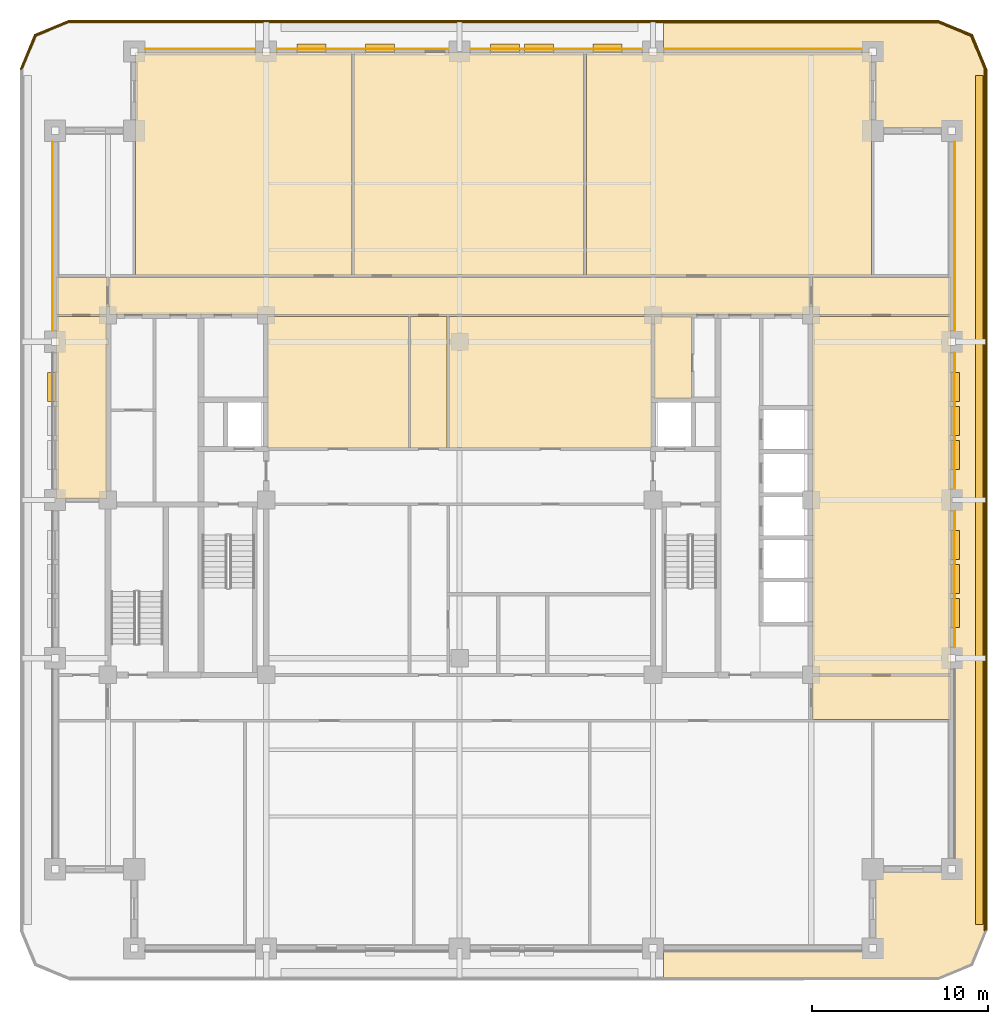
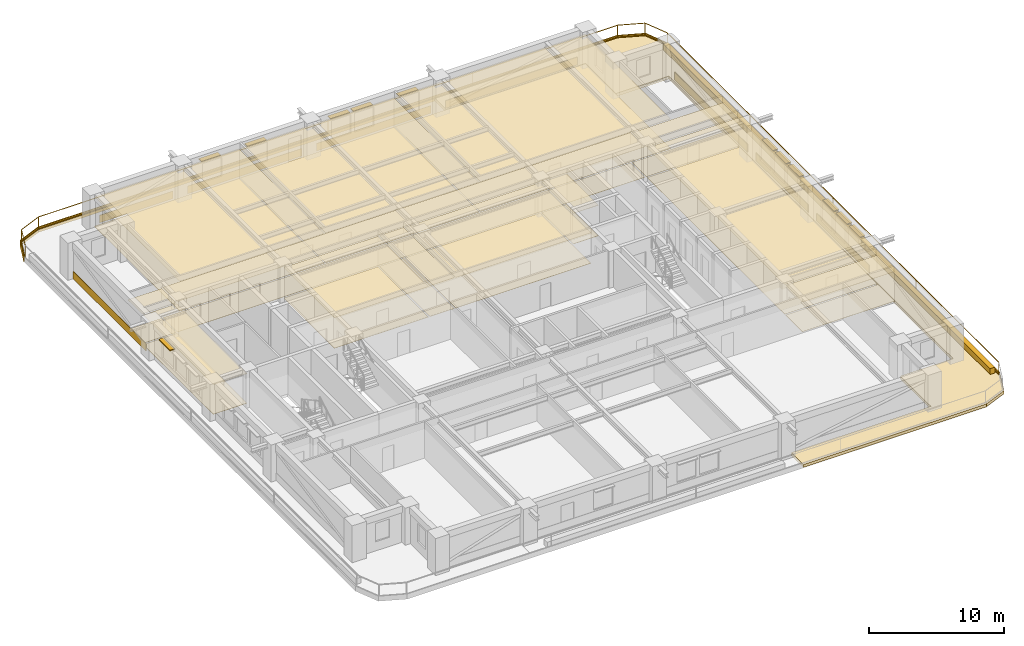
# One storey, part 14 of 14: 42 coverings, 12 shading devices, 2 railings.
"""IFC4 building model written with IfcOpenShell, lengths in metres."""

from ifc_helpers import new_model, si_unit, direction, frame, frame_2d, origin, origin_2d, place, context, subcontext, project, spatial, polyline, rectangle, outline, extrude, material, layer, layer_set, type_object, element, save


model = new_model("IFC4")

# Units and contexts
model_context = context("Model", 3, precision=1e-05, world=origin(), true_north=direction((0.0, 1.0)))
body_context = subcontext(model_context, "Body", "Model", "MODEL_VIEW")
ifc_project = project(units=[si_unit("LENGTHUNIT", "METRE"), si_unit("AREAUNIT", "SQUARE_METRE"), si_unit("VOLUMEUNIT", "CUBIC_METRE"), si_unit("PLANEANGLEUNIT", "RADIAN"), si_unit("MASSUNIT", "GRAM", prefix="KILO")], contexts=[model_context])

# Site, building, storey
site_placement = place(None, origin())
site = spatial("IfcSite", under=ifc_project, at=site_placement, CompositionType="ELEMENT")
building_placement = place(site_placement, origin())
building = spatial("IfcBuilding", under=site, at=building_placement, Name="Zulmaris Gate Convention Tower", CompositionType="ELEMENT")
storey_placement = place(building_placement, frame((0.0, 0.0, 98.5)))
storey = spatial("IfcBuildingStorey", under=building, at=storey_placement, Name="L24", CompositionType="ELEMENT", Elevation=98.5)

# Coverings
ifc_material_1 = material(Name="Precast concrete C40/50", Category="concrete")
ifc_layer_1 = layer(ifc_material_1, 0.0400390625, Name="Precast concrete C40/50")
ifc_layer_set_1 = layer_set([ifc_layer_1], Name="Precast concrete C40/50")
covering_type_1 = type_object("IfcCoveringType", Name="CLAD-SPANDREL-PRECAST", PredefinedType="CLADDING", material=ifc_layer_set_1)
covering_1_placement = place(storey_placement, frame((-11.6298828125, 25.64990234375, 0.0), z_axis=(0.0, 0.0, 1.0), x_axis=(-1.0, 0.0, 0.0)))
element("IfcCovering", 1, at=covering_1_placement, inside=storey, type_object=covering_type_1, Name="CLD-L24-N-0_0", PredefinedType="CLADDING", context=body_context, shape_type="SweptSolid", body=[
    extrude(rectangle(XDim=6.240234375, YDim=0.0400390625, at=frame_2d((3.1201171875, 0.0))), origin(), (0.0, 0.0, 1.0), 0.679931640625),
])
for number, where, z_axis, x_axis, name in (
    (2, (-0.6298828125, 25.64990234375, 0.0), (0.0, 0.0, 1.0), (-1.0, 0.0, 0.0), "CLD-L24-N-1_0"),
    (3, (10.3701171875, 25.64990234375, 0.0), (0.0, 0.0, 1.0), (-1.0, 0.0, 0.0), "CLD-L24-N-2_0"),
):
    element("IfcCovering", number, at=place(storey_placement, frame(where, z_axis=z_axis, x_axis=x_axis)), inside=storey, type_object=covering_type_1, Name=name, PredefinedType="CLADDING", context=body_context, shape_type="SweptSolid", body=[
        extrude(rectangle(XDim=9.740234375, YDim=0.0400390625, at=frame_2d((4.8701171875, 0.0))), origin(), (0.0, 0.0, 1.0), 0.679931640625),
    ])
covering_2_placement = place(storey_placement, frame((22.8701171875, 25.64990234375, 0.0), z_axis=(0.0, 0.0, 1.0), x_axis=(-1.0, 0.0, 0.0)))
element("IfcCovering", 4, at=covering_2_placement, inside=storey, type_object=covering_type_1, Name="CLD-L24-N-3_0", PredefinedType="CLADDING", context=body_context, shape_type="SweptSolid", body=[
    extrude(rectangle(XDim=11.240234375, YDim=0.0400390625, at=frame_2d((5.6201171875, 0.0))), origin(), (0.0, 0.0, 1.0), 0.679931640625),
])
for number, where, z_axis, x_axis, name in (
    (5, (28.14990234375, -8.3701171875, 0.0), (0.0, 0.0, 1.0), (0.0, 1.0, 0.0), "CLD-L24-E-1_0"),
    (6, (28.14990234375, 0.6298828125, 0.0), (0.0, 0.0, 1.0), (0.0, 1.0, 0.0), "CLD-L24-E-2_0"),
):
    element("IfcCovering", number, at=place(storey_placement, frame(where, z_axis=z_axis, x_axis=x_axis)), inside=storey, type_object=covering_type_1, Name=name, PredefinedType="CLADDING", context=body_context, shape_type="SweptSolid", body=[
        extrude(rectangle(XDim=7.740234375, YDim=0.0400390625, at=frame_2d((3.8701171875, 0.0))), origin(), (0.0, 0.0, 1.0), 0.679931640625),
    ])
for number, where, z_axis, x_axis, name in (
    (7, (28.14990234375, 9.6298828125, 0.0), (0.0, 0.0, 1.0), (0.0, 1.0, 0.0), "CLD-L24-E-3_0"),
    (8, (-23.14990234375, 20.3701171875, 0.0), (0.0, 0.0, 1.0), (0.0, -1.0, 0.0), "CLD-L24-W-3_0"),
):
    element("IfcCovering", number, at=place(storey_placement, frame(where, z_axis=z_axis, x_axis=x_axis)), inside=storey, type_object=covering_type_1, Name=name, PredefinedType="CLADDING", context=body_context, shape_type="SweptSolid", body=[
        extrude(rectangle(XDim=10.740234375, YDim=0.0400390625, at=frame_2d((5.3701171875, 0.0))), origin(), (0.0, 0.0, 1.0), 0.679931640625),
    ])
ifc_material_2 = material(Name="White Glazed Architectural Precast Concrete C40/50", Category="concrete")
ifc_layer_2 = layer(ifc_material_2, 0.239990234375, Name="White Glazed Architectural Precast Concrete C40/50")
ifc_layer_set_2 = layer_set([ifc_layer_2], Name="White Glazed Architectural Precast Concrete C40/50")
covering_type_2 = type_object("IfcCoveringType", Name="CLAD-TRAY-DECK", PredefinedType="CLADDING", material=ifc_layer_set_2)
covering_3_placement = place(storey_placement, frame((0.0, 0.0, -0.27490234375)))
element("IfcCovering", 9, at=covering_3_placement, inside=storey, type_object=covering_type_2, Name="L24 East Rounded-Fascia Planter Tray Deck", PredefinedType="CLADDING", context=body_context, shape_type="SweptSolid", body=[
    extrude(outline(polyline([(27.199951171875, 27.300048828125), (29.179931640625, 26.47998046875), (30.0, 24.5), (30.0, -24.5), (29.179931640625, -26.47998046875), (27.199951171875, -27.300048828125), (11.60205078125, -27.300048828125), (11.60205078125, -25.5), (23.5, -25.5), (23.5, -21.0), (28.0, -21.0), (28.0, 21.0), (23.5, 21.0), (23.5, 25.5), (11.60205078125, 25.5), (11.60205078125, 27.300048828125), (27.199951171875, 27.300048828125)])), origin(), (0.0, 0.0, 1.0), 0.260009765625),
])
ifc_layer_3 = layer(ifc_material_2, 0.080078125, Name="White Glazed Architectural Precast Concrete C40/50")
ifc_layer_set_3 = layer_set([ifc_layer_3], Name="White Glazed Architectural Precast Concrete C40/50")
covering_type_3 = type_object("IfcCoveringType", Name="CLAD-TRAY-FASCIA", PredefinedType="CLADDING", material=ifc_layer_set_3)
covering_4_placement = place(storey_placement, frame((29.9599609375, -24.5, -0.31494140625), z_axis=(0.0, 0.0, 1.0), x_axis=(0.0, 1.0, 0.0)))
element("IfcCovering", 10, at=covering_4_placement, inside=storey, type_object=covering_type_3, Name="FSC-L24-TR-05", PredefinedType="CLADDING", context=body_context, shape_type="SweptSolid", body=[
    extrude(rectangle(XDim=49.0, YDim=0.080078125, at=frame_2d((24.5, 0.0))), origin(), (0.0, 0.0, 1.0), 0.4599609375),
])
covering_5_placement = place(storey_placement, frame((29.962890625, 24.484619140625, -0.31494140625), z_axis=(0.0, 0.0, 1.0), x_axis=(-0.382656984709, 0.923890487046, 0.0)))
element("IfcCovering", 11, at=covering_5_placement, inside=storey, type_object=covering_type_3, Name="FSC-L24-TR-06", PredefinedType="CLADDING", context=body_context, shape_type="SweptSolid", body=[
    extrude(rectangle(XDim=2.14306640625, YDim=0.080078125, at=frame_2d((1.071533203125, 0.0))), origin(), (0.0, 0.0, 1.0), 0.4599609375),
])
covering_6_placement = place(storey_placement, frame((29.16455078125, 26.44287109375, -0.31494140625), z_axis=(0.0, 0.0, 1.0), x_axis=(-0.923873803533, 0.382697263049, 0.0)))
element("IfcCovering", 12, at=covering_6_placement, inside=storey, type_object=covering_type_3, Name="FSC-L24-TR-07", PredefinedType="CLADDING", context=body_context, shape_type="SweptSolid", body=[
    extrude(rectangle(XDim=2.142822265625, YDim=0.080078125, at=frame_2d((1.0712890625, 0.0))), origin(), (0.0, 0.0, 1.0), 0.4599609375),
])
covering_7_placement = place(storey_placement, frame((27.199951171875, 27.260009765625, -0.31494140625), z_axis=(0.0, 0.0, 1.0), x_axis=(-1.0, 0.0, 0.0)))
element("IfcCovering", 13, at=covering_7_placement, inside=storey, type_object=covering_type_3, Name="FSC-L24-TR-08", PredefinedType="CLADDING", context=body_context, shape_type="SweptSolid", body=[
    extrude(rectangle(XDim=49.39990234375, YDim=0.080078125, at=frame_2d((24.699951171875, 0.0))), origin(), (0.0, 0.0, 1.0), 0.4599609375),
])
covering_8_placement = place(storey_placement, frame((-22.184814453125, 27.262939453125, -0.31494140625), z_axis=(0.0, 0.0, 1.0), x_axis=(-0.923873803533, -0.382697263049, 0.0)))
element("IfcCovering", 14, at=covering_8_placement, inside=storey, type_object=covering_type_3, Name="FSC-L24-TR-09", PredefinedType="CLADDING", context=body_context, shape_type="SweptSolid", body=[
    extrude(rectangle(XDim=2.142822265625, YDim=0.080078125, at=frame_2d((1.0712890625, 0.0))), origin(), (0.0, 0.0, 1.0), 0.4599609375),
])
covering_9_placement = place(storey_placement, frame((-24.142822265625, 26.464599609375, -0.31494140625), z_axis=(0.0, 0.0, 1.0), x_axis=(-0.382656984709, -0.923890487046, 0.0)))
element("IfcCovering", 15, at=covering_9_placement, inside=storey, type_object=covering_type_3, Name="FSC-L24-TR-10", PredefinedType="CLADDING", context=body_context, shape_type="SweptSolid", body=[
    extrude(rectangle(XDim=2.14306640625, YDim=0.080078125, at=frame_2d((1.071533203125, 0.0))), origin(), (0.0, 0.0, 1.0), 0.4599609375),
])
ifc_material_3 = material(Name="Mineral Fibre Acoustic Ceiling Tile")
ifc_layer_4 = layer(ifc_material_3, 0.02001953125, Name="Mineral Fibre Acoustic Ceiling Tile")
ifc_layer_set_4 = layer_set([ifc_layer_4], Name="Mineral Fibre Acoustic Ceiling Tile")
covering_type_4 = type_object("IfcCoveringType", Name="CLG-ACOUSTIC-600", PredefinedType="CEILING", material=ifc_layer_set_4)
covering_10_placement = place(storey_placement, frame((0.0, 0.0, 2.752685546875)))
element("IfcCovering", 16, at=covering_10_placement, inside=storey, type_object=covering_type_4, Name="CLG-L24-R12", PredefinedType="CEILING", context=body_context, shape_type="SweptSolid", body=[
    extrude(outline(polyline([(11.06005859375, 5.760009765625), (13.18994140625, 5.760009765625), (13.18994140625, 10.43994140625), (11.06005859375, 10.43994140625), (11.06005859375, 5.760009765625)])), origin(), (0.0, 0.0, 1.0), 0.02001953125),
])
covering_11_placement = place(storey_placement, frame((0.0, 0.0, 2.752685546875)))
element("IfcCovering", 17, at=covering_11_placement, inside=storey, type_object=covering_type_4, Name="CLG-L24-R28", PredefinedType="CEILING", context=body_context, shape_type="SweptSolid", body=[
    extrude(outline(polyline([(-19.93994140625, 10.56005859375), (19.93994140625, 10.56005859375), (19.93994140625, 12.68994140625), (-19.93994140625, 12.68994140625), (-19.93994140625, 10.56005859375)])), origin(), (0.0, 0.0, 1.0), 0.02001953125),
])
covering_12_placement = place(storey_placement, frame((0.0, 0.0, 2.77783203125)))
element("IfcCovering", 18, at=covering_12_placement, inside=storey, type_object=covering_type_4, Name="CLG-L24-R31", PredefinedType="CEILING", context=body_context, shape_type="SweptSolid", body=[
    extrude(outline(polyline([(-2.7900390625, 2.9599609375), (-0.7099609375, 2.9599609375), (-0.7099609375, 10.43994140625), (-2.7900390625, 10.43994140625), (-2.7900390625, 2.9599609375)])), origin(), (0.0, 0.0, 1.0), 0.02001953125),
])
covering_13_placement = place(storey_placement, frame((0.0, 0.0, 2.6796875)))
element("IfcCovering", 19, at=covering_13_placement, inside=storey, type_object=covering_type_4, Name="CLG-L24-R33", PredefinedType="CEILING", context=body_context, shape_type="SweptSolid", body=[
    extrude(outline(polyline([(-18.43994140625, 12.81005859375), (-6.110107421875, 12.81005859375), (-6.110107421875, 25.43994140625), (-18.43994140625, 25.43994140625), (-18.43994140625, 12.81005859375)])), origin(), (0.0, 0.0, 1.0), 0.02001953125),
])
covering_14_placement = place(storey_placement, frame((0.0, 0.0, 2.6796875)))
element("IfcCovering", 20, at=covering_14_placement, inside=storey, type_object=covering_type_4, Name="CLG-L24-R34", PredefinedType="CEILING", context=body_context, shape_type="SweptSolid", body=[
    extrude(outline(polyline([(-5.989990234375, 12.81005859375), (7.090087890625, 12.81005859375), (7.090087890625, 25.43994140625), (-5.989990234375, 25.43994140625), (-5.989990234375, 12.81005859375)])), origin(), (0.0, 0.0, 1.0), 0.02001953125),
])
covering_15_placement = place(storey_placement, frame((0.0, 0.0, 2.6796875)))
element("IfcCovering", 21, at=covering_15_placement, inside=storey, type_object=covering_type_4, Name="CLG-L24-R35", PredefinedType="CEILING", context=body_context, shape_type="SweptSolid", body=[
    extrude(outline(polyline([(7.2099609375, 12.81005859375), (23.43994140625, 12.81005859375), (23.43994140625, 25.43994140625), (7.2099609375, 25.43994140625), (7.2099609375, 12.81005859375)])), origin(), (0.0, 0.0, 1.0), 0.02001953125),
])
covering_16_placement = place(storey_placement, frame((0.0, 0.0, 2.752685546875)))
element("IfcCovering", 22, at=covering_16_placement, inside=storey, type_object=covering_type_4, Name="CLG-L24-R40", PredefinedType="CEILING", context=body_context, shape_type="SweptSolid", body=[
    extrude(outline(polyline([(-10.93994140625, 2.9599609375), (-2.909912109375, 2.9599609375), (-2.909912109375, 10.43994140625), (-10.93994140625, 10.43994140625), (-10.93994140625, 2.9599609375)])), origin(), (0.0, 0.0, 1.0), 0.02001953125),
])
covering_17_placement = place(storey_placement, frame((0.0, 0.0, 2.752685546875)))
element("IfcCovering", 23, at=covering_17_placement, inside=storey, type_object=covering_type_4, Name="CLG-L24-R41", PredefinedType="CEILING", context=body_context, shape_type="SweptSolid", body=[
    extrude(outline(polyline([(-0.590087890625, 2.9599609375), (10.93994140625, 2.9599609375), (10.93994140625, 10.43994140625), (-0.590087890625, 10.43994140625), (-0.590087890625, 2.9599609375)])), origin(), (0.0, 0.0, 1.0), 0.02001953125),
])
covering_18_placement = place(storey_placement, frame((0.0, 0.0, 2.6796875)))
element("IfcCovering", 24, at=covering_18_placement, inside=storey, type_object=covering_type_4, Name="CLG-L24-R47", PredefinedType="CEILING", context=body_context, shape_type="SweptSolid", body=[
    extrude(outline(polyline([(-22.93994140625, 10.56005859375), (-20.06005859375, 10.56005859375), (-20.06005859375, 12.68994140625), (-22.93994140625, 12.68994140625), (-22.93994140625, 10.56005859375)])), origin(), (0.0, 0.0, 1.0), 0.02001953125),
])
covering_19_placement = place(storey_placement, frame((0.0, 0.0, 2.6796875)))
element("IfcCovering", 25, at=covering_19_placement, inside=storey, type_object=covering_type_4, Name="CLG-L24-R49", PredefinedType="CEILING", context=body_context, shape_type="SweptSolid", body=[
    extrude(outline(polyline([(-22.93994140625, 0.06005859375), (-20.06005859375, 0.06005859375), (-20.06005859375, 10.43994140625), (-22.93994140625, 10.43994140625), (-22.93994140625, 0.06005859375)])), origin(), (0.0, 0.0, 1.0), 0.02001953125),
])
covering_20_placement = place(storey_placement, frame((0.0, 0.0, 2.6796875)))
element("IfcCovering", 26, at=covering_20_placement, inside=storey, type_object=covering_type_4, Name="CLG-L24-R51", PredefinedType="CEILING", context=body_context, shape_type="SweptSolid", body=[
    extrude(outline(polyline([(20.06005859375, 10.56005859375), (27.93994140625, 10.56005859375), (27.93994140625, 12.68994140625), (20.06005859375, 12.68994140625), (20.06005859375, 10.56005859375)])), origin(), (0.0, 0.0, 1.0), 0.02001953125),
])
covering_21_placement = place(storey_placement, frame((0.0, 0.0, 2.6796875)))
element("IfcCovering", 27, at=covering_21_placement, inside=storey, type_object=covering_type_4, Name="CLG-L24-R52", PredefinedType="CEILING", context=body_context, shape_type="SweptSolid", body=[
    extrude(outline(polyline([(20.06005859375, -12.489990234375), (27.93994140625, -12.489990234375), (27.93994140625, -10.010009765625), (20.06005859375, -10.010009765625), (20.06005859375, -12.489990234375)])), origin(), (0.0, 0.0, 1.0), 0.02001953125),
])
covering_22_placement = place(storey_placement, frame((0.0, 0.0, 2.6796875)))
element("IfcCovering", 28, at=covering_22_placement, inside=storey, type_object=covering_type_4, Name="CLG-L24-R53", PredefinedType="CEILING", context=body_context, shape_type="SweptSolid", body=[
    extrude(outline(polyline([(20.06005859375, -9.889892578125), (27.93994140625, -9.889892578125), (27.93994140625, 10.43994140625), (20.06005859375, 10.43994140625), (20.06005859375, -9.889892578125)])), origin(), (0.0, 0.0, 1.0), 0.02001953125),
])
ifc_material_4 = material(Name="Woven Acoustic Wool Carpet Tile")
ifc_layer_5 = layer(ifc_material_4, 0.02001953125, Name="Woven Acoustic Wool Carpet Tile")
ifc_layer_set_5 = layer_set([ifc_layer_5], Name="Woven Acoustic Wool Carpet Tile")
covering_type_5 = type_object("IfcCoveringType", Name="FLR-CARPET-12", PredefinedType="FLOORING", material=ifc_layer_set_5)
covering_23_placement = place(storey_placement, origin())
element("IfcCovering", 29, at=covering_23_placement, inside=storey, type_object=covering_type_5, Name="FLR-L24-R12", PredefinedType="FLOORING", context=body_context, shape_type="SweptSolid", body=[
    extrude(outline(polyline([(11.06005859375, 5.760009765625), (13.18994140625, 5.760009765625), (13.18994140625, 10.43994140625), (11.06005859375, 10.43994140625), (11.06005859375, 5.760009765625)])), origin(), (0.0, 0.0, 1.0), 0.02001953125),
])
covering_24_placement = place(storey_placement, origin())
element("IfcCovering", 30, at=covering_24_placement, inside=storey, type_object=covering_type_5, Name="FLR-L24-R28", PredefinedType="FLOORING", context=body_context, shape_type="SweptSolid", body=[
    extrude(outline(polyline([(-19.93994140625, 10.56005859375), (19.93994140625, 10.56005859375), (19.93994140625, 12.68994140625), (-19.93994140625, 12.68994140625), (-19.93994140625, 10.56005859375)])), origin(), (0.0, 0.0, 1.0), 0.02001953125),
])
covering_25_placement = place(storey_placement, origin())
element("IfcCovering", 31, at=covering_25_placement, inside=storey, type_object=covering_type_5, Name="FLR-L24-R31", PredefinedType="FLOORING", context=body_context, shape_type="SweptSolid", body=[
    extrude(outline(polyline([(-2.7900390625, 2.9599609375), (-0.7099609375, 2.9599609375), (-0.7099609375, 10.43994140625), (-2.7900390625, 10.43994140625), (-2.7900390625, 2.9599609375)])), origin(), (0.0, 0.0, 1.0), 0.02001953125),
])
covering_26_placement = place(storey_placement, origin())
element("IfcCovering", 32, at=covering_26_placement, inside=storey, type_object=covering_type_5, Name="FLR-L24-R33", PredefinedType="FLOORING", context=body_context, shape_type="SweptSolid", body=[
    extrude(outline(polyline([(-18.43994140625, 12.81005859375), (-6.110107421875, 12.81005859375), (-6.110107421875, 25.43994140625), (-18.43994140625, 25.43994140625), (-18.43994140625, 12.81005859375)])), origin(), (0.0, 0.0, 1.0), 0.02001953125),
])
covering_27_placement = place(storey_placement, origin())
element("IfcCovering", 33, at=covering_27_placement, inside=storey, type_object=covering_type_5, Name="FLR-L24-R34", PredefinedType="FLOORING", context=body_context, shape_type="SweptSolid", body=[
    extrude(outline(polyline([(-5.989990234375, 12.81005859375), (7.090087890625, 12.81005859375), (7.090087890625, 25.43994140625), (-5.989990234375, 25.43994140625), (-5.989990234375, 12.81005859375)])), origin(), (0.0, 0.0, 1.0), 0.02001953125),
])
covering_28_placement = place(storey_placement, origin())
element("IfcCovering", 34, at=covering_28_placement, inside=storey, type_object=covering_type_5, Name="FLR-L24-R35", PredefinedType="FLOORING", context=body_context, shape_type="SweptSolid", body=[
    extrude(outline(polyline([(7.2099609375, 12.81005859375), (23.43994140625, 12.81005859375), (23.43994140625, 25.43994140625), (7.2099609375, 25.43994140625), (7.2099609375, 12.81005859375)])), origin(), (0.0, 0.0, 1.0), 0.02001953125),
])
covering_29_placement = place(storey_placement, origin())
element("IfcCovering", 35, at=covering_29_placement, inside=storey, type_object=covering_type_5, Name="FLR-L24-R41", PredefinedType="FLOORING", context=body_context, shape_type="SweptSolid", body=[
    extrude(outline(polyline([(-0.590087890625, 2.9599609375), (10.93994140625, 2.9599609375), (10.93994140625, 10.43994140625), (-0.590087890625, 10.43994140625), (-0.590087890625, 2.9599609375)])), origin(), (0.0, 0.0, 1.0), 0.02001953125),
])
covering_30_placement = place(storey_placement, origin())
element("IfcCovering", 36, at=covering_30_placement, inside=storey, type_object=covering_type_5, Name="FLR-L24-R47", PredefinedType="FLOORING", context=body_context, shape_type="SweptSolid", body=[
    extrude(outline(polyline([(-22.93994140625, 10.56005859375), (-20.06005859375, 10.56005859375), (-20.06005859375, 12.68994140625), (-22.93994140625, 12.68994140625), (-22.93994140625, 10.56005859375)])), origin(), (0.0, 0.0, 1.0), 0.02001953125),
])
covering_31_placement = place(storey_placement, origin())
element("IfcCovering", 37, at=covering_31_placement, inside=storey, type_object=covering_type_5, Name="FLR-L24-R49", PredefinedType="FLOORING", context=body_context, shape_type="SweptSolid", body=[
    extrude(outline(polyline([(-22.93994140625, 0.06005859375), (-20.06005859375, 0.06005859375), (-20.06005859375, 10.43994140625), (-22.93994140625, 10.43994140625), (-22.93994140625, 0.06005859375)])), origin(), (0.0, 0.0, 1.0), 0.02001953125),
])
covering_32_placement = place(storey_placement, origin())
element("IfcCovering", 38, at=covering_32_placement, inside=storey, type_object=covering_type_5, Name="FLR-L24-R51", PredefinedType="FLOORING", context=body_context, shape_type="SweptSolid", body=[
    extrude(outline(polyline([(20.06005859375, 10.56005859375), (27.93994140625, 10.56005859375), (27.93994140625, 12.68994140625), (20.06005859375, 12.68994140625), (20.06005859375, 10.56005859375)])), origin(), (0.0, 0.0, 1.0), 0.02001953125),
])
covering_33_placement = place(storey_placement, origin())
element("IfcCovering", 39, at=covering_33_placement, inside=storey, type_object=covering_type_5, Name="FLR-L24-R52", PredefinedType="FLOORING", context=body_context, shape_type="SweptSolid", body=[
    extrude(outline(polyline([(20.06005859375, -12.489990234375), (27.93994140625, -12.489990234375), (27.93994140625, -10.010009765625), (20.06005859375, -10.010009765625), (20.06005859375, -12.489990234375)])), origin(), (0.0, 0.0, 1.0), 0.02001953125),
])
covering_34_placement = place(storey_placement, origin())
element("IfcCovering", 40, at=covering_34_placement, inside=storey, type_object=covering_type_5, Name="FLR-L24-R53", PredefinedType="FLOORING", context=body_context, shape_type="SweptSolid", body=[
    extrude(outline(polyline([(20.06005859375, -9.889892578125), (27.93994140625, -9.889892578125), (27.93994140625, 10.43994140625), (20.06005859375, 10.43994140625), (20.06005859375, -9.889892578125)])), origin(), (0.0, 0.0, 1.0), 0.02001953125),
])
ifc_material_5 = material(Name="Polished Granite Terrazzo Tile", Category="masonry")
ifc_layer_6 = layer(ifc_material_5, 0.02001953125, Name="Polished Granite Terrazzo Tile")
ifc_layer_set_6 = layer_set([ifc_layer_6], Name="Polished Granite Terrazzo Tile")
covering_type_6 = type_object("IfcCoveringType", Name="FLR-TERRAZZO-30", PredefinedType="FLOORING", material=ifc_layer_set_6)
covering_35_placement = place(storey_placement, origin())
element("IfcCovering", 41, at=covering_35_placement, inside=storey, type_object=covering_type_6, Name="FLR-L24-R40", PredefinedType="FLOORING", context=body_context, shape_type="SweptSolid", body=[
    extrude(outline(polyline([(-10.93994140625, 2.9599609375), (-2.909912109375, 2.9599609375), (-2.909912109375, 10.43994140625), (-10.93994140625, 10.43994140625), (-10.93994140625, 2.9599609375)])), origin(), (0.0, 0.0, 1.0), 0.02001953125),
])
ifc_material_6 = material(Name="Botanical Green Glazed Precast Concrete C40/50", Category="concrete")
ifc_layer_7 = layer(ifc_material_6, 0.419921875, Name="Botanical Green Glazed Precast Concrete C40/50")
ifc_layer_set_7 = layer_set([ifc_layer_7], Name="Botanical Green Glazed Precast Concrete C40/50")
covering_type_7 = type_object("IfcCoveringType", Name="PLANTER-BOX-200", PredefinedType="CLADDING", material=ifc_layer_set_7)
covering_36_placement = place(storey_placement, frame((0.0, 0.0, -0.014892578125)))
element("IfcCovering", 42, at=covering_36_placement, inside=storey, type_object=covering_type_7, Name="L24 E Full-Length Balcony Tree Planter Trough", PredefinedType="CLADDING", context=body_context, shape_type="SweptSolid", body=[
    extrude(outline(polyline([(29.340087890625, -24.14990234375), (29.760009765625, -24.14990234375), (29.760009765625, 24.14990234375), (29.340087890625, 24.14990234375), (29.340087890625, -24.14990234375)])), origin(), (0.0, 0.0, 1.0), 0.519775390625),
])

# Railings
ifc_material_7 = material(Name="Laminated Glass and Stainless Steel", Category="steel")
railing_type = type_object("IfcRailingType", Name="RL-BALC-1150", PredefinedType="BALUSTRADE", material=ifc_material_7)
railing_1_placement = place(storey_placement, frame((29.8798828125, -24.5, -0.014892578125)))
element("IfcRailing", 43, at=railing_1_placement, inside=storey, type_object=railing_type, Name="RL-L24-BALC-E", PredefinedType="BALUSTRADE", context=body_context, shape_type="SweptSolid", body=[
    extrude(rectangle(XDim=0.048095703125, YDim=0.048095703125, at=origin_2d()), frame((0.0, 0.0, 1.1259765625), z_axis=(0.0, 1.0, 0.0), x_axis=(-1.0, 0.0, 0.0)), (0.0, 0.0, 1.0), 49.0),
    extrude(rectangle(XDim=0.048095703125, YDim=0.048095703125, at=origin_2d()), frame((0.0, 0.0, 0.02392578125), z_axis=(0.0, 1.0, 0.0), x_axis=(-1.0, 0.0, 0.0)), (0.0, 0.0, 1.0), 49.0),
    extrude(rectangle(XDim=0.0419921875, YDim=0.0419921875, at=origin_2d()), origin(), (0.0, 0.0, 1.0), 1.101806640625),
    extrude(rectangle(XDim=0.0419921875, YDim=0.0419921875, at=origin_2d()), frame((0.0, 12.25, 0.0)), (0.0, 0.0, 1.0), 1.101806640625),
    extrude(rectangle(XDim=0.0419921875, YDim=0.0419921875, at=origin_2d()), frame((0.0, 24.5, 0.0)), (0.0, 0.0, 1.0), 1.101806640625),
    extrude(rectangle(XDim=0.0419921875, YDim=0.0419921875, at=origin_2d()), frame((0.0, 36.75, 0.0)), (0.0, 0.0, 1.0), 1.101806640625),
    extrude(rectangle(XDim=0.0419921875, YDim=0.0419921875, at=origin_2d()), frame((0.0, 49.0, 0.0)), (0.0, 0.0, 1.0), 1.101806640625),
])
railing_2_placement = place(storey_placement, frame((29.8798828125, 24.5, -0.014892578125)))
element("IfcRailing", 44, at=railing_2_placement, inside=storey, type_object=railing_type, Name="RL-L24-BALC-N", PredefinedType="BALUSTRADE", context=body_context, shape_type="SweptSolid", body=[
    extrude(rectangle(XDim=0.048095703125, YDim=0.048095703125, at=origin_2d()), frame((0.0, 0.0, 1.1259765625), z_axis=(-0.382670664694, 0.92388482095, 0.0), x_axis=(-0.92388482095, -0.382670664694, 0.0)), (0.0, 0.0, 1.0), 2.051025390625),
    extrude(rectangle(XDim=0.048095703125, YDim=0.048095703125, at=origin_2d()), frame((0.0, 0.0, 0.02392578125), z_axis=(-0.382670664694, 0.92388482095, 0.0), x_axis=(-0.92388482095, -0.382670664694, 0.0)), (0.0, 0.0, 1.0), 2.051025390625),
    extrude(rectangle(XDim=0.048095703125, YDim=0.048095703125, at=origin_2d()), frame((-0.784912109375, 1.89501953125, 1.1259765625), z_axis=(-0.92388482095, 0.382670664694, 0.0), x_axis=(-0.382670664694, -0.92388482095, 0.0)), (0.0, 0.0, 1.0), 2.051025390625),
    extrude(rectangle(XDim=0.048095703125, YDim=0.048095703125, at=origin_2d()), frame((-0.784912109375, 1.89501953125, 0.02392578125), z_axis=(-0.92388482095, 0.382670664694, 0.0), x_axis=(-0.382670664694, -0.92388482095, 0.0)), (0.0, 0.0, 1.0), 2.051025390625),
    extrude(rectangle(XDim=0.048095703125, YDim=0.048095703125, at=origin_2d()), frame((-2.679931640625, 2.679931640625, 1.1259765625), z_axis=(-1.0, 0.0, 0.0), x_axis=(0.0, -1.0, 0.0)), (0.0, 0.0, 1.0), 49.39990234375),
    extrude(rectangle(XDim=0.048095703125, YDim=0.048095703125, at=origin_2d()), frame((-2.679931640625, 2.679931640625, 0.02392578125), z_axis=(-1.0, 0.0, 0.0), x_axis=(0.0, -1.0, 0.0)), (0.0, 0.0, 1.0), 49.39990234375),
    extrude(rectangle(XDim=0.048095703125, YDim=0.048095703125, at=origin_2d()), frame((-52.079833984375, 2.679931640625, 1.1259765625), z_axis=(-0.92388482095, -0.382670664694, 0.0), x_axis=(0.382670664694, -0.92388482095, 0.0)), (0.0, 0.0, 1.0), 2.051025390625),
    extrude(rectangle(XDim=0.048095703125, YDim=0.048095703125, at=origin_2d()), frame((-52.079833984375, 2.679931640625, 0.02392578125), z_axis=(-0.92388482095, -0.382670664694, 0.0), x_axis=(0.382670664694, -0.92388482095, 0.0)), (0.0, 0.0, 1.0), 2.051025390625),
    extrude(rectangle(XDim=0.048095703125, YDim=0.048095703125, at=origin_2d()), frame((-53.974853515625, 1.89501953125, 1.1259765625), z_axis=(-0.382670664694, -0.92388482095, 0.0), x_axis=(0.92388482095, -0.382670664694, 0.0)), (0.0, 0.0, 1.0), 2.051025390625),
    extrude(rectangle(XDim=0.048095703125, YDim=0.048095703125, at=origin_2d()), frame((-53.974853515625, 1.89501953125, 0.02392578125), z_axis=(-0.382670664694, -0.92388482095, 0.0), x_axis=(0.92388482095, -0.382670664694, 0.0)), (0.0, 0.0, 1.0), 2.051025390625),
    extrude(rectangle(XDim=0.0419921875, YDim=0.0419921875, at=origin_2d()), origin(), (0.0, 0.0, 1.0), 1.101806640625),
    extrude(rectangle(XDim=0.0419921875, YDim=0.0419921875, at=origin_2d()), frame((-0.784912109375, 1.89501953125, 0.0)), (0.0, 0.0, 1.0), 1.101806640625),
    extrude(rectangle(XDim=0.0419921875, YDim=0.0419921875, at=origin_2d()), frame((-2.679931640625, 2.679931640625, 0.0)), (0.0, 0.0, 1.0), 1.101806640625),
    extrude(rectangle(XDim=0.0419921875, YDim=0.0419921875, at=origin_2d()), frame((-15.02978515625, 2.679931640625, 0.0)), (0.0, 0.0, 1.0), 1.101806640625),
    extrude(rectangle(XDim=0.0419921875, YDim=0.0419921875, at=origin_2d()), frame((-27.3798828125, 2.679931640625, 0.0)), (0.0, 0.0, 1.0), 1.101806640625),
    extrude(rectangle(XDim=0.0419921875, YDim=0.0419921875, at=origin_2d()), frame((-39.72998046875, 2.679931640625, 0.0)), (0.0, 0.0, 1.0), 1.101806640625),
    extrude(rectangle(XDim=0.0419921875, YDim=0.0419921875, at=origin_2d()), frame((-52.079833984375, 2.679931640625, 0.0)), (0.0, 0.0, 1.0), 1.101806640625),
    extrude(rectangle(XDim=0.0419921875, YDim=0.0419921875, at=origin_2d()), frame((-53.974853515625, 1.89501953125, 0.0)), (0.0, 0.0, 1.0), 1.101806640625),
    extrude(rectangle(XDim=0.0419921875, YDim=0.0419921875, at=origin_2d()), frame((-54.759765625, 0.0, 0.0)), (0.0, 0.0, 1.0), 1.101806640625),
])

# Shading devices
ifc_material_8 = material(Name="Glazed Ceramic Terracotta", Category="masonry")
ifc_layer_8 = layer(ifc_material_8, 0.070068359375, Name="Glazed Ceramic Terracotta")
ifc_layer_set_8 = layer_set([ifc_layer_8], Name="Glazed Ceramic Terracotta")
shading_device_type = type_object("IfcShadingDeviceType", Name="SHD-SUNSHADE-TC", PredefinedType="AWNING", material=ifc_layer_set_8)
for number, where, z_axis, x_axis, name in (
    (45, (-3.700927734375, 25.719970703125, 2.530029296875), (0.0, 0.0, 1.0), (-1.0, 0.0, 0.0), "SHD-EW-L24-N-1_0-2"),
    (46, (-7.596923828125, 25.719970703125, 2.530029296875), (0.0, 0.0, 1.0), (-1.0, 0.0, 0.0), "SHD-EW-L24-N-1_0-4"),
    (47, (9.2470703125, 25.719970703125, 2.530029296875), (0.0, 0.0, 1.0), (-1.0, 0.0, 0.0), "SHD-EW-L24-N-2_0-1"),
    (48, (5.35107421875, 25.719970703125, 2.530029296875), (0.0, 0.0, 1.0), (-1.0, 0.0, 0.0), "SHD-EW-L24-N-2_0-3"),
    (49, (3.403076171875, 25.719970703125, 2.530029296875), (0.0, 0.0, 1.0), (-1.0, 0.0, 0.0), "SHD-EW-L24-N-2_0-4"),
):
    element("IfcShadingDevice", number, at=place(storey_placement, frame(where, z_axis=z_axis, x_axis=x_axis)), inside=storey, type_object=shading_device_type, Name=name, PredefinedType="AWNING", context=body_context, shape_type="SweptSolid", body=[
        extrude(rectangle(XDim=1.650146484375, YDim=0.43994140625, at=frame_2d((0.8251953125, 0.0))), origin(), (0.0, 0.0, 1.0), 0.070068359375),
    ])
for number, where, z_axis, x_axis, name in (
    (50, (28.219970703125, -7.260009765625, 2.530029296875), (0.0, 0.0, 1.0), (0.0, 1.0, 0.0), "SHD-EW-L24-E-1_0-1"),
    (51, (28.219970703125, -5.324951171875, 2.530029296875), (0.0, 0.0, 1.0), (0.0, 1.0, 0.0), "SHD-EW-L24-E-1_0-2"),
    (52, (28.219970703125, -3.389892578125, 2.530029296875), (0.0, 0.0, 1.0), (0.0, 1.0, 0.0), "SHD-EW-L24-E-1_0-3"),
    (53, (28.219970703125, 1.739990234375, 2.530029296875), (0.0, 0.0, 1.0), (0.0, 1.0, 0.0), "SHD-EW-L24-E-2_0-1"),
    (54, (28.219970703125, 3.675048828125, 2.530029296875), (0.0, 0.0, 1.0), (0.0, 1.0, 0.0), "SHD-EW-L24-E-2_0-2"),
    (55, (28.219970703125, 5.610107421875, 2.530029296875), (0.0, 0.0, 1.0), (0.0, 1.0, 0.0), "SHD-EW-L24-E-2_0-3"),
    (56, (-23.219970703125, 7.260009765625, 2.530029296875), (0.0, 0.0, 1.0), (0.0, -1.0, 0.0), "SHD-EW-L24-W-2_0-1"),
):
    element("IfcShadingDevice", number, at=place(storey_placement, frame(where, z_axis=z_axis, x_axis=x_axis)), inside=storey, type_object=shading_device_type, Name=name, PredefinedType="AWNING", context=body_context, shape_type="SweptSolid", body=[
        extrude(rectangle(XDim=1.64990234375, YDim=0.43994140625, at=frame_2d((0.824951171875, 0.0))), origin(), (0.0, 0.0, 1.0), 0.070068359375),
    ])

save(model, "model.ifc")
